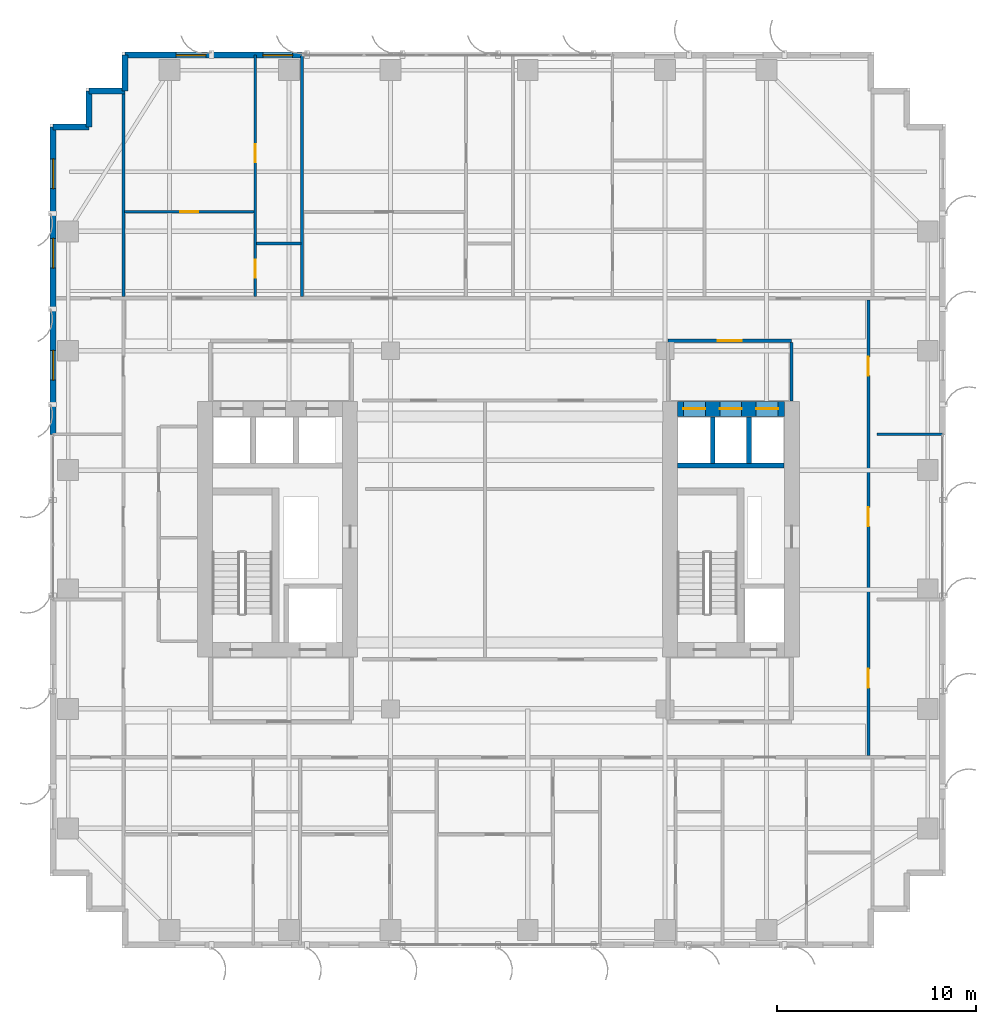
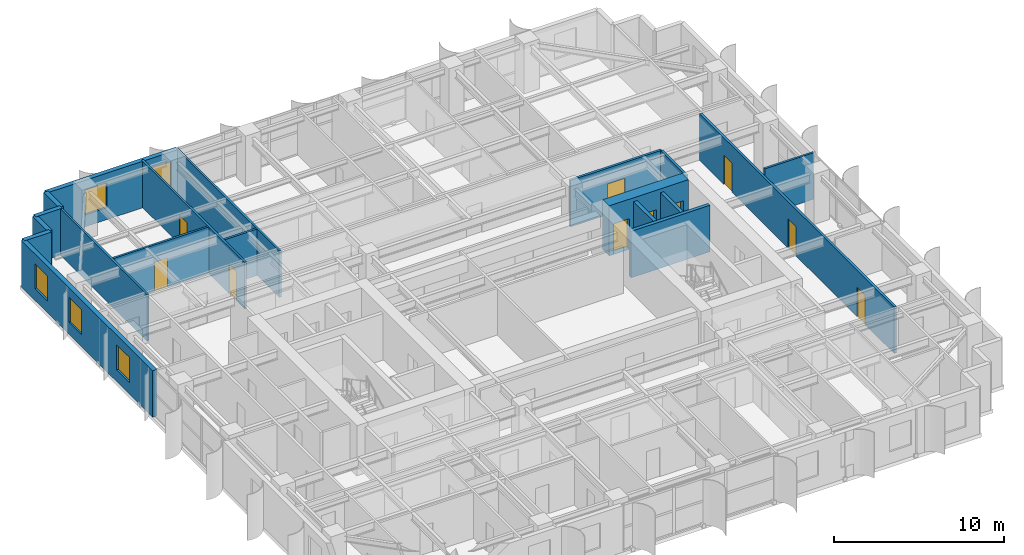
# One storey, part 16 of 22: 19 walls, 10 doors, 5 windows, 15 openings.
"""IFC4 building model written with IfcOpenShell, lengths in metres."""

from ifc_helpers import new_model, si_unit, direction, frame, frame_2d, origin, place, context, subcontext, project, spatial, rectangle, extrude, source, transform, mapped, material, layer, layer_set, type_object, element, fill, save


model = new_model("IFC4")

# Units and contexts
model_context = context("Model", 3, precision=1e-05, world=origin(), true_north=direction((0.0, 1.0)))
body_context = subcontext(model_context, "Body", "Model", "MODEL_VIEW")
ifc_project = project(units=[si_unit("LENGTHUNIT", "METRE"), si_unit("AREAUNIT", "SQUARE_METRE"), si_unit("VOLUMEUNIT", "CUBIC_METRE"), si_unit("PLANEANGLEUNIT", "RADIAN"), si_unit("MASSUNIT", "GRAM", prefix="KILO")], contexts=[model_context])

# Site, building, storey
site_placement = place(None, origin())
site = spatial("IfcSite", under=ifc_project, at=site_placement, CompositionType="ELEMENT")
building_placement = place(site_placement, origin())
building = spatial("IfcBuilding", under=site, at=building_placement, Name="Khoralis Quay Care Tower", CompositionType="ELEMENT")
storey_placement = place(building_placement, frame((0.0, 0.0, 101.699951171875)))
storey = spatial("IfcBuildingStorey", under=building, at=storey_placement, Name="L26", CompositionType="ELEMENT", Elevation=101.699951171875)

# Wall, openings, doors
ifc_material_1 = material(Name="Concrete C80/95", Category="concrete")
ifc_layer_1 = layer(ifc_material_1, 0.75)
ifc_layer_set_1 = layer_set([ifc_layer_1], Name="Concrete C80/95")
wall_type_1 = type_object("IfcWallType", Name="WL-CORE-750", PredefinedType="SHEAR", material=ifc_layer_set_1)
wall_1_placement = place(storey_placement, frame((31.52001953125, 27.074951171875, 0.0), z_axis=(0.0, 0.0, 1.0), x_axis=(1.0, 0.0, 0.0)))
wall_1 = element("IfcWall", 1, at=wall_1_placement, inside=storey, type_object=wall_type_1, Name="L26 ECORE North Shear Wall", PredefinedType="SHEAR", context=body_context, shape_type="SweptSolid", body=[
    extrude(rectangle(XDim=5.3798828125, YDim=0.75, at=frame_2d((2.68994140625, 0.0))), origin(), (0.0, 0.0, 1.0), 3.60009765625),
])
opening_1_placement = place(wall_1_placement, frame((0.300048828125, 0.0, 0.0)))
opening_1 = element("IfcOpeningElement", 2, at=opening_1_placement, cuts=wall_1, Name="Opening LD1", PredefinedType="OPENING", context=body_context, shape_type="SweptSolid", body=[
    extrude(rectangle(XDim=1.10009765625, YDim=2.199951171875, at=frame_2d((0.550048828125, 1.10009765625))), frame((0.0, 0.385009765625, 0.0), z_axis=(0.0, -1.0, 0.0), x_axis=(1.0, 0.0, 0.0)), (0.0, 0.0, 1.0), 0.77001953125),
])
opening_2_placement = place(wall_1_placement, frame((2.1298828125, 0.0, 0.0)))
opening_2 = element("IfcOpeningElement", 3, at=opening_2_placement, cuts=wall_1, Name="Opening LD1", PredefinedType="OPENING", context=body_context, shape_type="SweptSolid", body=[
    extrude(rectangle(XDim=1.10009765625, YDim=2.199951171875, at=frame_2d((0.550048828125, 1.10009765625))), frame((0.0, 0.385009765625, 0.0), z_axis=(0.0, -1.0, 0.0), x_axis=(1.0, 0.0, 0.0)), (0.0, 0.0, 1.0), 0.77001953125),
])
opening_3_placement = place(wall_1_placement, frame((3.9599609375, 0.0, 0.0)))
opening_3 = element("IfcOpeningElement", 4, at=opening_3_placement, cuts=wall_1, Name="Opening LD1", PredefinedType="OPENING", context=body_context, shape_type="SweptSolid", body=[
    extrude(rectangle(XDim=1.10009765625, YDim=2.199951171875, at=frame_2d((0.550048828125, 1.10009765625))), frame((0.0, 0.385009765625, 0.0), z_axis=(0.0, -1.0, 0.0), x_axis=(1.0, 0.0, 0.0)), (0.0, 0.0, 1.0), 0.77001953125),
])
ifc_material_2 = material(Name="Brushed stainless steel", Category="steel")
door_type_1 = type_object("IfcDoorType", Name="DR-LIFT-1100X2200", OperationType="SLIDING_TO_LEFT", PredefinedType="DOOR", material=ifc_material_2)
shared_shape_1 = source(origin(), body_context, "Body", "SweptSolid", [
    extrude(rectangle(XDim=1.10009765625, YDim=2.199951171875, at=frame_2d((0.550048828125, 1.10009765625))), frame((0.0, 0.02490234375, 0.0), z_axis=(0.0, -1.0, 0.0), x_axis=(1.0, 0.0, 0.0)), (0.0, 0.0, 1.0), 0.050048828125),
])
door_1_placement = place(opening_1_placement, origin())
door_1 = element("IfcDoor", 5, at=door_1_placement, inside=storey, type_object=door_type_1, Name="L26 Lift PLL2 Landing Door", OperationType="SLIDING_TO_LEFT", OverallHeight=2.199951171875, OverallWidth=1.10009765625, PredefinedType="DOOR", context=body_context, shape_type="MappedRepresentation", body=[
    mapped(shared_shape_1, transform((0.0, 0.0, 0.0), scale=1.0)),
])
fill(opening_1, door_1)
door_2_placement = place(opening_2_placement, origin())
door_2 = element("IfcDoor", 6, at=door_2_placement, inside=storey, type_object=door_type_1, Name="L26 Lift PLM2 Landing Door", OperationType="SLIDING_TO_LEFT", OverallHeight=2.199951171875, OverallWidth=1.10009765625, PredefinedType="DOOR", context=body_context, shape_type="MappedRepresentation", body=[
    mapped(shared_shape_1, transform((0.0, 0.0, 0.0), scale=1.0)),
])
fill(opening_2, door_2)
door_3_placement = place(opening_3_placement, origin())
door_3 = element("IfcDoor", 7, at=door_3_placement, inside=storey, type_object=door_type_1, Name="L26 Lift PLH2 Landing Door", OperationType="SLIDING_TO_LEFT", OverallHeight=2.199951171875, OverallWidth=1.10009765625, PredefinedType="DOOR", context=body_context, shape_type="MappedRepresentation", body=[
    mapped(shared_shape_1, transform((0.0, 0.0, 0.0), scale=1.0)),
])
fill(opening_3, door_3)

# Wall, opening, door
ifc_material_3 = material(Name="Gypsum plasterboard on acoustic metal stud")
ifc_layer_2 = layer(ifc_material_3, 0.1650390625)
ifc_layer_set_2 = layer_set([ifc_layer_2], Name="Gypsum plasterboard on acoustic metal stud")
wall_type_2 = type_object("IfcWallType", Name="WL-CORR-165", PredefinedType="PARTITIONING", material=ifc_layer_set_2)
wall_2_placement = place(storey_placement, frame((31.050048828125, 30.5, 0.0), z_axis=(0.0, 0.0, 1.0), x_axis=(1.0, 0.0, 0.0)))
wall_2 = element("IfcWall", 8, at=wall_2_placement, inside=storey, type_object=wall_type_2, Name="L26 East Lift Lobby North Wall", PredefinedType="PARTITIONING", context=body_context, shape_type="SweptSolid", body=[
    extrude(rectangle(XDim=6.199951171875, YDim=0.1650390625, at=frame_2d((3.10009765625, 0.0))), origin(), (0.0, 0.0, 1.0), 3.340087890625),
])
opening_4_placement = place(wall_2_placement, frame((2.5, 0.0, 0.0)))
opening_4 = element("IfcOpeningElement", 9, at=opening_4_placement, cuts=wall_2, Name="Opening FD1", PredefinedType="OPENING", context=body_context, shape_type="SweptSolid", body=[
    extrude(rectangle(XDim=1.199951171875, YDim=2.199951171875, at=frame_2d((0.60009765625, 1.10009765625))), frame((0.0, 0.092529296875, 0.0), z_axis=(0.0, -1.0, 0.0), x_axis=(1.0, 0.0, 0.0)), (0.0, 0.0, 1.0), 0.18505859375),
])
ifc_material_4 = material(Name="Fire-rated painted steel", Category="steel")
door_type_2 = type_object("IfcDoorType", Name="DR-FFL-1200X2200", OperationType="NOTDEFINED", PredefinedType="DOOR", material=ifc_material_4)
shared_shape_2 = source(origin(), body_context, "Body", "SweptSolid", [
    extrude(rectangle(XDim=1.199951171875, YDim=2.199951171875, at=frame_2d((0.60009765625, 1.10009765625))), frame((0.0, 0.02490234375, 0.0), z_axis=(0.0, -1.0, 0.0), x_axis=(1.0, 0.0, 0.0)), (0.0, 0.0, 1.0), 0.050048828125),
])
door_4_placement = place(opening_4_placement, origin())
door_4 = element("IfcDoor", 10, at=door_4_placement, inside=storey, type_object=door_type_2, Name="L26 East Lift Lobby Double Door", OperationType="DOUBLE_DOOR_SINGLE_SWING", OverallHeight=2.199951171875, OverallWidth=1.199951171875, PredefinedType="DOOR", context=body_context, shape_type="MappedRepresentation", body=[
    mapped(shared_shape_2, transform((0.0, 0.0, 0.0), scale=1.0)),
])
fill(opening_4, door_4)

# Wall
wall_3_placement = place(storey_placement, frame((37.25, 27.469970703125, 0.0), z_axis=(0.0, 0.0, 1.0), x_axis=(0.0, 1.0, 0.0)))
element("IfcWall", 11, at=wall_3_placement, inside=storey, type_object=wall_type_2, Name="L26 East Lift Lobby East Wall", PredefinedType="PARTITIONING", context=body_context, shape_type="SweptSolid", body=[
    extrude(rectangle(XDim=2.95263671875, YDim=0.1650390625, at=frame_2d((1.476318359375, 0.0))), origin(), (0.0, 0.0, 1.0), 3.340087890625),
])

# Wall, openings, doors
wall_4_placement = place(storey_placement, frame((41.1201171875, 9.657470703125, 0.0), z_axis=(0.0, 0.0, 1.0), x_axis=(0.0, 1.0, 0.0)))
wall_4 = element("IfcWall", 12, at=wall_4_placement, inside=storey, type_object=wall_type_2, Name="L26 East Loop Corridor Wall", PredefinedType="PARTITIONING", context=body_context, shape_type="SweptSolid", body=[
    extrude(rectangle(XDim=22.905029296875, YDim=0.1650390625, at=frame_2d((11.45263671875, 0.0))), origin(), (0.0, 0.0, 1.0), 3.340087890625),
])
opening_5_placement = place(wall_4_placement, frame((3.407470703125, 0.0, 0.0)))
opening_5 = element("IfcOpeningElement", 13, at=opening_5_placement, cuts=wall_4, Name="Opening ID1", PredefinedType="OPENING", context=body_context, shape_type="SweptSolid", body=[
    extrude(rectangle(XDim=0.949951171875, YDim=2.10009765625, at=frame_2d((0.47509765625, 1.050048828125))), frame((0.0, 0.092529296875, 0.0), z_axis=(0.0, -1.0, 0.0), x_axis=(1.0, 0.0, 0.0)), (0.0, 0.0, 1.0), 0.18505859375),
])
opening_6_placement = place(wall_4_placement, frame((11.517578125, 0.0, 0.0)))
opening_6 = element("IfcOpeningElement", 14, at=opening_6_placement, cuts=wall_4, Name="Opening ID1", PredefinedType="OPENING", context=body_context, shape_type="SweptSolid", body=[
    extrude(rectangle(XDim=0.949951171875, YDim=2.10009765625, at=frame_2d((0.47509765625, 1.050048828125))), frame((0.0, 0.092529296875, 0.0), z_axis=(0.0, -1.0, 0.0), x_axis=(1.0, 0.0, 0.0)), (0.0, 0.0, 1.0), 0.18505859375),
])
opening_7_placement = place(wall_4_placement, frame((19.08740234375, 0.0, 0.0)))
opening_7 = element("IfcOpeningElement", 15, at=opening_7_placement, cuts=wall_4, Name="Opening ID1", PredefinedType="OPENING", context=body_context, shape_type="SweptSolid", body=[
    extrude(rectangle(XDim=0.949951171875, YDim=2.10009765625, at=frame_2d((0.47509765625, 1.050048828125))), frame((0.0, 0.092529296875, 0.0), z_axis=(0.0, -1.0, 0.0), x_axis=(1.0, 0.0, 0.0)), (0.0, 0.0, 1.0), 0.18505859375),
])
ifc_material_5 = material(Name="Acoustic hardwood timber", Category="wood")
door_type_3 = type_object("IfcDoorType", Name="DR-ROOM-950X2100", OperationType="NOTDEFINED", PredefinedType="DOOR", material=ifc_material_5)
shared_shape_3 = source(origin(), body_context, "Body", "SweptSolid", [
    extrude(rectangle(XDim=0.949951171875, YDim=2.10009765625, at=frame_2d((0.47509765625, 1.050048828125))), frame((0.0, 0.02490234375, 0.0), z_axis=(0.0, -1.0, 0.0), x_axis=(1.0, 0.0, 0.0)), (0.0, 0.0, 1.0), 0.050048828125),
])
door_5_placement = place(opening_5_placement, frame((0.949951171875, 0.0, 0.0), z_axis=(0.0, 0.0, 1.0), x_axis=(-1.0, 0.0, 0.0)))
door_5 = element("IfcDoor", 16, at=door_5_placement, inside=storey, type_object=door_type_3, Name="L26 Therapy Consultation Room Door", OperationType="SINGLE_SWING_LEFT", OverallHeight=2.10009765625, OverallWidth=0.949951171875, PredefinedType="DOOR", context=body_context, shape_type="MappedRepresentation", body=[
    mapped(shared_shape_3, transform((0.0, 0.0, 0.0), scale=1.0)),
])
fill(opening_5, door_5)
door_6_placement = place(opening_6_placement, frame((0.949951171875, 0.0, 0.0), z_axis=(0.0, 0.0, 1.0), x_axis=(-1.0, 0.0, 0.0)))
door_6 = element("IfcDoor", 17, at=door_6_placement, inside=storey, type_object=door_type_3, Name="L26 Assisted Activity Lounge Door", OperationType="SINGLE_SWING_RIGHT", OverallHeight=2.10009765625, OverallWidth=0.949951171875, PredefinedType="DOOR", context=body_context, shape_type="MappedRepresentation", body=[
    mapped(shared_shape_3, transform((0.0, 0.0, 0.0), scale=1.0)),
])
fill(opening_6, door_6)
door_7_placement = place(opening_7_placement, frame((0.949951171875, 0.0, 0.0), z_axis=(0.0, 0.0, 1.0), x_axis=(-1.0, 0.0, 0.0)))
door_7 = element("IfcDoor", 18, at=door_7_placement, inside=storey, type_object=door_type_3, Name="L26 Nurse Charting Office Door", OperationType="SINGLE_SWING_LEFT", OverallHeight=2.10009765625, OverallWidth=0.949951171875, PredefinedType="DOOR", context=body_context, shape_type="MappedRepresentation", body=[
    mapped(shared_shape_3, transform((0.0, 0.0, 0.0), scale=1.0)),
])
fill(opening_7, door_7)

# Wall, openings, windows
ifc_material_6 = material(Name="Precast concrete C45/55", Category="concrete")
ifc_layer_3 = layer(ifc_material_6, 0.300048828125)
ifc_layer_set_3 = layer_set([ifc_layer_3], Name="Precast concrete C45/55")
wall_type_3 = type_object("IfcWallType", Name="WL-EXT-REF-300", PredefinedType="SOLIDWALL", material=ifc_layer_set_3)
wall_5_placement = place(storey_placement, frame((12.659912109375, 44.85009765625, 0.0), z_axis=(0.0, 0.0, 1.0), x_axis=(-1.0, 0.0, 0.0)))
wall_5 = element("IfcWall", 19, at=wall_5_placement, inside=storey, type_object=wall_type_3, Name="L26 External Facade Wall WL-EXT-L26-P1-E10B", PredefinedType="SOLIDWALL", context=body_context, shape_type="SweptSolid", body=[
    extrude(rectangle(XDim=8.909912109375, YDim=0.300048828125, at=frame_2d((4.455078125, 0.0))), origin(), (0.0, 0.0, 1.0), 3.340087890625),
])
opening_8_placement = place(wall_5_placement, frame((0.47509765625, 0.0, 0.85009765625)))
opening_8 = element("IfcOpeningElement", 20, at=opening_8_placement, cuts=wall_5, Name="Opening W3", PredefinedType="OPENING", context=body_context, shape_type="SweptSolid", body=[
    extrude(rectangle(XDim=1.5, YDim=1.800048828125, at=frame_2d((0.75, 0.89990234375))), frame((0.0, 0.16015625, 0.0), z_axis=(0.0, -1.0, 0.0), x_axis=(1.0, 0.0, 0.0)), (0.0, 0.0, 1.0), 0.320068359375),
])
opening_9_placement = place(wall_5_placement, frame((4.830078125, 0.0, 0.85009765625)))
opening_9 = element("IfcOpeningElement", 21, at=opening_9_placement, cuts=wall_5, Name="Opening W3", PredefinedType="OPENING", context=body_context, shape_type="SweptSolid", body=[
    extrude(rectangle(XDim=1.5, YDim=1.800048828125, at=frame_2d((0.75, 0.89990234375))), frame((0.0, 0.16015625, 0.0), z_axis=(0.0, -1.0, 0.0), x_axis=(1.0, 0.0, 0.0)), (0.0, 0.0, 1.0), 0.320068359375),
])
ifc_material_7 = material(Name="Low-E solar-control double glazing", Category="glass")
window_type = type_object("IfcWindowType", Name="WN-CLIN-1500X1800", PartitioningType="SINGLE_PANEL", PredefinedType="WINDOW", material=ifc_material_7)
shared_shape_4 = source(origin(), body_context, "Body", "SweptSolid", [
    extrude(rectangle(XDim=1.5, YDim=1.800048828125, at=frame_2d((0.75, 0.89990234375))), frame((0.0, 0.030029296875, 0.0), z_axis=(0.0, -1.0, 0.0), x_axis=(1.0, 0.0, 0.0)), (0.0, 0.0, 1.0), 0.06005859375),
])
window_1_placement = place(opening_8_placement, origin())
window_1 = element("IfcWindow", 22, at=window_1_placement, inside=storey, type_object=window_type, Name="WN-L26-P1-E10B Facade Window 01", OverallHeight=1.800048828125, OverallWidth=1.5, PartitioningType="SINGLE_PANEL", PredefinedType="WINDOW", context=body_context, shape_type="MappedRepresentation", body=[
    mapped(shared_shape_4, transform((0.0, 0.0, 0.0), scale=1.0)),
])
fill(opening_8, window_1)
window_2_placement = place(opening_9_placement, origin())
window_2 = element("IfcWindow", 23, at=window_2_placement, inside=storey, type_object=window_type, Name="WN-L26-P1-E10B Facade Window 02", OverallHeight=1.800048828125, OverallWidth=1.5, PartitioningType="SINGLE_PANEL", PredefinedType="WINDOW", context=body_context, shape_type="MappedRepresentation", body=[
    mapped(shared_shape_4, transform((0.0, 0.0, 0.0), scale=1.0)),
])
fill(opening_9, window_2)

# Walls
for number, where, z_axis, x_axis, name in (
    (24, (3.75, 44.85009765625, 0.0), (0.0, 0.0, 1.0), (0.0, -1.0, 0.0), "L26 External Facade Wall WL-EXT-L26-P1-C11"),
    (25, (3.75, 43.050048828125, 0.0), (0.0, 0.0, 1.0), (-1.0, 0.0, 0.0), "L26 External Facade Wall WL-EXT-L26-P1-C12"),
    (26, (1.949951171875, 43.050048828125, 0.0), (0.0, 0.0, 1.0), (0.0, -1.0, 0.0), "L26 External Facade Wall WL-EXT-L26-P1-C13"),
    (27, (1.949951171875, 41.25, 0.0), (0.0, 0.0, 1.0), (-1.0, 0.0, 0.0), "L26 External Facade Wall WL-EXT-L26-P1-C14"),
):
    element("IfcWall", number, at=place(storey_placement, frame(where, z_axis=z_axis, x_axis=x_axis)), inside=storey, type_object=wall_type_3, Name=name, PredefinedType="SOLIDWALL", context=body_context, shape_type="SweptSolid", body=[
        extrude(rectangle(XDim=1.800048828125, YDim=0.300048828125, at=frame_2d((0.89990234375, 0.0))), origin(), (0.0, 0.0, 1.0), 3.340087890625),
    ])

# Wall, openings, windows
wall_6_placement = place(storey_placement, frame((0.14990234375, 41.25, 0.0), z_axis=(0.0, 0.0, 1.0), x_axis=(0.0, -1.0, 0.0)))
wall_6 = element("IfcWall", 28, at=wall_6_placement, inside=storey, type_object=wall_type_3, Name="L26 External Facade Wall WL-EXT-L26-P1-E15A", PredefinedType="SOLIDWALL", context=body_context, shape_type="SweptSolid", body=[
    extrude(rectangle(XDim=15.449951171875, YDim=0.300048828125, at=frame_2d((7.72509765625, 0.0))), origin(), (0.0, 0.0, 1.0), 3.340087890625),
])
opening_10_placement = place(wall_6_placement, frame((1.607421875, 0.0, 0.85009765625)))
opening_10 = element("IfcOpeningElement", 29, at=opening_10_placement, cuts=wall_6, Name="Opening W3", PredefinedType="OPENING", context=body_context, shape_type="SweptSolid", body=[
    extrude(rectangle(XDim=1.5, YDim=1.800048828125, at=frame_2d((0.75, 0.89990234375))), frame((0.0, 0.16015625, 0.0), z_axis=(0.0, -1.0, 0.0), x_axis=(1.0, 0.0, 0.0)), (0.0, 0.0, 1.0), 0.320068359375),
])
opening_11_placement = place(wall_6_placement, frame((5.6025390625, 0.0, 0.85009765625)))
opening_11 = element("IfcOpeningElement", 30, at=opening_11_placement, cuts=wall_6, Name="Opening W3", PredefinedType="OPENING", context=body_context, shape_type="SweptSolid", body=[
    extrude(rectangle(XDim=1.5, YDim=1.800048828125, at=frame_2d((0.75, 0.89990234375))), frame((0.0, 0.16015625, 0.0), z_axis=(0.0, -1.0, 0.0), x_axis=(1.0, 0.0, 0.0)), (0.0, 0.0, 1.0), 0.320068359375),
])
opening_12_placement = place(wall_6_placement, frame((11.22998046875, 0.0, 0.85009765625)))
opening_12 = element("IfcOpeningElement", 31, at=opening_12_placement, cuts=wall_6, Name="Opening W3", PredefinedType="OPENING", context=body_context, shape_type="SweptSolid", body=[
    extrude(rectangle(XDim=1.5, YDim=1.800048828125, at=frame_2d((0.75, 0.89990234375))), frame((0.0, 0.16015625, 0.0), z_axis=(0.0, -1.0, 0.0), x_axis=(1.0, 0.0, 0.0)), (0.0, 0.0, 1.0), 0.320068359375),
])
window_3_placement = place(opening_10_placement, origin())
window_3 = element("IfcWindow", 32, at=window_3_placement, inside=storey, type_object=window_type, Name="WN-L26-P1-E15A Facade Window 01", OverallHeight=1.800048828125, OverallWidth=1.5, PartitioningType="SINGLE_PANEL", PredefinedType="WINDOW", context=body_context, shape_type="MappedRepresentation", body=[
    mapped(shared_shape_4, transform((0.0, 0.0, 0.0), scale=1.0)),
])
fill(opening_10, window_3)
window_4_placement = place(opening_11_placement, origin())
window_4 = element("IfcWindow", 33, at=window_4_placement, inside=storey, type_object=window_type, Name="WN-L26-P1-E15A Facade Window 02", OverallHeight=1.800048828125, OverallWidth=1.5, PartitioningType="SINGLE_PANEL", PredefinedType="WINDOW", context=body_context, shape_type="MappedRepresentation", body=[
    mapped(shared_shape_4, transform((0.0, 0.0, 0.0), scale=1.0)),
])
fill(opening_11, window_4)
window_5_placement = place(opening_12_placement, origin())
window_5 = element("IfcWindow", 34, at=window_5_placement, inside=storey, type_object=window_type, Name="WN-L26-P1-E15A Facade Window 03", OverallHeight=1.800048828125, OverallWidth=1.5, PartitioningType="SINGLE_PANEL", PredefinedType="WINDOW", context=body_context, shape_type="MappedRepresentation", body=[
    mapped(shared_shape_4, transform((0.0, 0.0, 0.0), scale=1.0)),
])
fill(opening_12, window_5)

# Wall, openings, doors
ifc_material_8 = material(Name="Moisture-resistant gypsum and ceramic tile")
ifc_layer_4 = layer(ifc_material_8, 0.280029296875)
ifc_layer_set_4 = layer_set([ifc_layer_4], Name="Moisture-resistant gypsum and ceramic tile")
wall_type_4 = type_object("IfcWallType", Name="WL-PLUMB-280", PredefinedType="PLUMBINGWALL", material=ifc_layer_set_4)
wall_7_placement = place(storey_placement, frame((10.31005859375, 32.717529296875, 0.0), z_axis=(0.0, 0.0, 1.0), x_axis=(0.0, 1.0, 0.0)))
wall_7 = element("IfcWall", 35, at=wall_7_placement, inside=storey, type_object=wall_type_4, Name="L26 Care Suite 0 En-Suite Wall V", PredefinedType="PLUMBINGWALL", context=body_context, shape_type="SweptSolid", body=[
    extrude(rectangle(XDim=12.137451171875, YDim=0.139892578125, at=frame_2d((6.06884765625, 0.0))), origin(), (0.0, 0.0, 1.0), 3.340087890625),
])
opening_13_placement = place(wall_7_placement, frame((0.96240234375, 0.0, 0.0)))
opening_13 = element("IfcOpeningElement", 36, at=opening_13_placement, cuts=wall_7, Name="Opening WD1", PredefinedType="OPENING", context=body_context, shape_type="SweptSolid", body=[
    extrude(rectangle(XDim=0.89990234375, YDim=2.10009765625, at=frame_2d((0.449951171875, 1.050048828125))), frame((0.0, 0.080078125, 0.0), z_axis=(0.0, -1.0, 0.0), x_axis=(1.0, 0.0, 0.0)), (0.0, 0.0, 1.0), 0.159912109375),
])
opening_14_placement = place(wall_7_placement, frame((6.75244140625, 0.0, 0.0)))
opening_14 = element("IfcOpeningElement", 37, at=opening_14_placement, cuts=wall_7, Name="Opening WD1", PredefinedType="OPENING", context=body_context, shape_type="SweptSolid", body=[
    extrude(rectangle(XDim=0.89990234375, YDim=2.10009765625, at=frame_2d((0.449951171875, 1.050048828125))), frame((0.0, 0.080078125, 0.0), z_axis=(0.0, -1.0, 0.0), x_axis=(1.0, 0.0, 0.0)), (0.0, 0.0, 1.0), 0.159912109375),
])
door_type_4 = type_object("IfcDoorType", Name="DR-BATH-900X2100", OperationType="NOTDEFINED", PredefinedType="DOOR", material=ifc_material_5)
shared_shape_5 = source(origin(), body_context, "Body", "SweptSolid", [
    extrude(rectangle(XDim=0.89990234375, YDim=2.10009765625, at=frame_2d((0.449951171875, 1.050048828125))), frame((0.0, 0.02490234375, 0.0), z_axis=(0.0, -1.0, 0.0), x_axis=(1.0, 0.0, 0.0)), (0.0, 0.0, 1.0), 0.050048828125),
])
door_8_placement = place(opening_13_placement, frame((0.89990234375, 0.0, 0.0), z_axis=(0.0, 0.0, 1.0), x_axis=(-1.0, 0.0, 0.0)))
door_8 = element("IfcDoor", 38, at=door_8_placement, inside=storey, type_object=door_type_4, Name="L26 Care CENS Door", OperationType="SINGLE_SWING_LEFT", OverallHeight=2.10009765625, OverallWidth=0.89990234375, PredefinedType="DOOR", context=body_context, shape_type="MappedRepresentation", body=[
    mapped(shared_shape_5, transform((0.0, 0.0, 0.0), scale=1.0)),
])
fill(opening_13, door_8)
door_9_placement = place(opening_14_placement, frame((0.89990234375, 0.0, 0.0), z_axis=(0.0, 0.0, 1.0), x_axis=(-1.0, 0.0, 0.0)))
door_9 = element("IfcDoor", 39, at=door_9_placement, inside=storey, type_object=door_type_4, Name="L26 Care CSIT Door", OperationType="SINGLE_SWING_RIGHT", OverallHeight=2.10009765625, OverallWidth=0.89990234375, PredefinedType="DOOR", context=body_context, shape_type="MappedRepresentation", body=[
    mapped(shared_shape_5, transform((0.0, 0.0, 0.0), scale=1.0)),
])
fill(opening_14, door_9)

# Walls
wall_8_placement = place(storey_placement, frame((10.375, 35.389892578125, 0.0), z_axis=(0.0, 0.0, 1.0), x_axis=(1.0, 0.0, 0.0)))
element("IfcWall", 40, at=wall_8_placement, inside=storey, type_object=wall_type_4, Name="L26 Care Suite 0 En-Suite Wall H", PredefinedType="PLUMBINGWALL", context=body_context, shape_type="SweptSolid", body=[
    extrude(rectangle(XDim=2.219970703125, YDim=0.139892578125, at=frame_2d((1.10986328125, 0.0))), origin(), (0.0, 0.0, 1.0), 3.340087890625),
])
ifc_layer_5 = layer(ifc_material_3, 0.239990234375)
ifc_layer_set_5 = layer_set([ifc_layer_5], Name="Gypsum plasterboard on acoustic metal stud")
wall_type_5 = type_object("IfcWallType", Name="WL-SHAFT-240", PredefinedType="PARTITIONING", material=ifc_layer_set_5)
wall_9_placement = place(storey_placement, frame((31.52001953125, 24.22998046875, 0.0), z_axis=(0.0, 0.0, 1.0), x_axis=(1.0, 0.0, 0.0)))
element("IfcWall", 41, at=wall_9_placement, inside=storey, type_object=wall_type_5, Name="L26 East Passenger Shaft South Wall", PredefinedType="PARTITIONING", context=body_context, shape_type="SweptSolid", body=[
    extrude(rectangle(XDim=5.35986328125, YDim=0.239990234375, at=frame_2d((2.679931640625, 0.0))), origin(), (0.0, 0.0, 1.0), 3.340087890625),
])
for number, where, z_axis, x_axis, name in (
    (42, (33.2900390625, 24.344970703125, 0.0), (0.0, 0.0, 1.0), (0.0, 1.0, 0.0), "L26 East Shaft Divider 1"),
    (43, (35.110107421875, 24.344970703125, 0.0), (0.0, 0.0, 1.0), (0.0, 1.0, 0.0), "L26 East Shaft Divider 2"),
):
    element("IfcWall", number, at=place(storey_placement, frame(where, z_axis=z_axis, x_axis=x_axis)), inside=storey, type_object=wall_type_5, Name=name, PredefinedType="PARTITIONING", context=body_context, shape_type="SweptSolid", body=[
        extrude(rectangle(XDim=2.3349609375, YDim=0.239990234375, at=frame_2d((1.16748046875, 0.0))), origin(), (0.0, 0.0, 1.0), 3.340087890625),
    ])
ifc_layer_6 = layer(ifc_material_3, 0.139892578125)
ifc_layer_set_6 = layer_set([ifc_layer_6], Name="Gypsum plasterboard on acoustic metal stud")
wall_type_6 = type_object("IfcWallType", Name="WL-UNIT-140", PredefinedType="PARTITIONING", material=ifc_layer_set_6)
wall_10_placement = place(storey_placement, frame((41.5400390625, 25.800048828125, 0.0), z_axis=(0.0, 0.0, 1.0), x_axis=(1.0, 0.0, 0.0)))
element("IfcWall", 44, at=wall_10_placement, inside=storey, type_object=wall_type_6, Name="L26 EE Divider 2", PredefinedType="PARTITIONING", context=body_context, shape_type="SweptSolid", body=[
    extrude(rectangle(XDim=3.31494140625, YDim=0.139892578125, at=frame_2d((1.657470703125, 0.0))), origin(), (0.0, 0.0, 1.0), 3.340087890625),
])
wall_11_placement = place(storey_placement, frame((3.679931640625, 32.717529296875, 0.0), z_axis=(0.0, 0.0, 1.0), x_axis=(0.0, 1.0, 0.0)))
element("IfcWall", 45, at=wall_11_placement, inside=storey, type_object=wall_type_6, Name="L26 NB Demising Wall 0", PredefinedType="PARTITIONING", context=body_context, shape_type="SweptSolid", body=[
    extrude(rectangle(XDim=10.33740234375, YDim=0.139892578125, at=frame_2d((5.168701171875, 0.0))), origin(), (0.0, 0.0, 1.0), 3.340087890625),
])
wall_12_placement = place(storey_placement, frame((12.659912109375, 32.717529296875, 0.0), z_axis=(0.0, 0.0, 1.0), x_axis=(0.0, 1.0, 0.0)))
element("IfcWall", 46, at=wall_12_placement, inside=storey, type_object=wall_type_6, Name="L26 NB Demising Wall 1", PredefinedType="PARTITIONING", context=body_context, shape_type="SweptSolid", body=[
    extrude(rectangle(XDim=12.137451171875, YDim=0.139892578125, at=frame_2d((6.06884765625, 0.0))), origin(), (0.0, 0.0, 1.0), 3.340087890625),
])

# Wall, opening, door
wall_13_placement = place(storey_placement, frame((3.7451171875, 36.989990234375, 0.0), z_axis=(0.0, 0.0, 1.0), x_axis=(1.0, 0.0, 0.0)))
wall_13 = element("IfcWall", 47, at=wall_13_placement, inside=storey, type_object=wall_type_6, Name="Skilled Care Bedroom L26-NB0 Sub-Partition", PredefinedType="PARTITIONING", context=body_context, shape_type="SweptSolid", body=[
    extrude(rectangle(XDim=6.5, YDim=0.139892578125, at=frame_2d((3.25, 0.0))), origin(), (0.0, 0.0, 1.0), 3.340087890625),
])
opening_15_placement = place(wall_13_placement, frame((2.800048828125, 0.0, 0.0)))
opening_15 = element("IfcOpeningElement", 48, at=opening_15_placement, cuts=wall_13, Name="Opening WD1", PredefinedType="OPENING", context=body_context, shape_type="SweptSolid", body=[
    extrude(rectangle(XDim=0.89990234375, YDim=2.10009765625, at=frame_2d((0.449951171875, 1.050048828125))), frame((0.0, 0.080078125, 0.0), z_axis=(0.0, -1.0, 0.0), x_axis=(1.0, 0.0, 0.0)), (0.0, 0.0, 1.0), 0.159912109375),
])
door_10_placement = place(opening_15_placement, frame((0.89990234375, 0.0, 0.0), z_axis=(0.0, 0.0, 1.0), x_axis=(-1.0, 0.0, 0.0)))
door_10 = element("IfcDoor", 49, at=door_10_placement, inside=storey, type_object=door_type_4, Name="Private Study & Reading Alcove ARE0 Door", OperationType="SINGLE_SWING_LEFT", OverallHeight=2.10009765625, OverallWidth=0.89990234375, PredefinedType="DOOR", context=body_context, shape_type="MappedRepresentation", body=[
    mapped(shared_shape_5, transform((0.0, 0.0, 0.0), scale=1.0)),
])
fill(opening_15, door_10)

save(model, "model.ifc")
